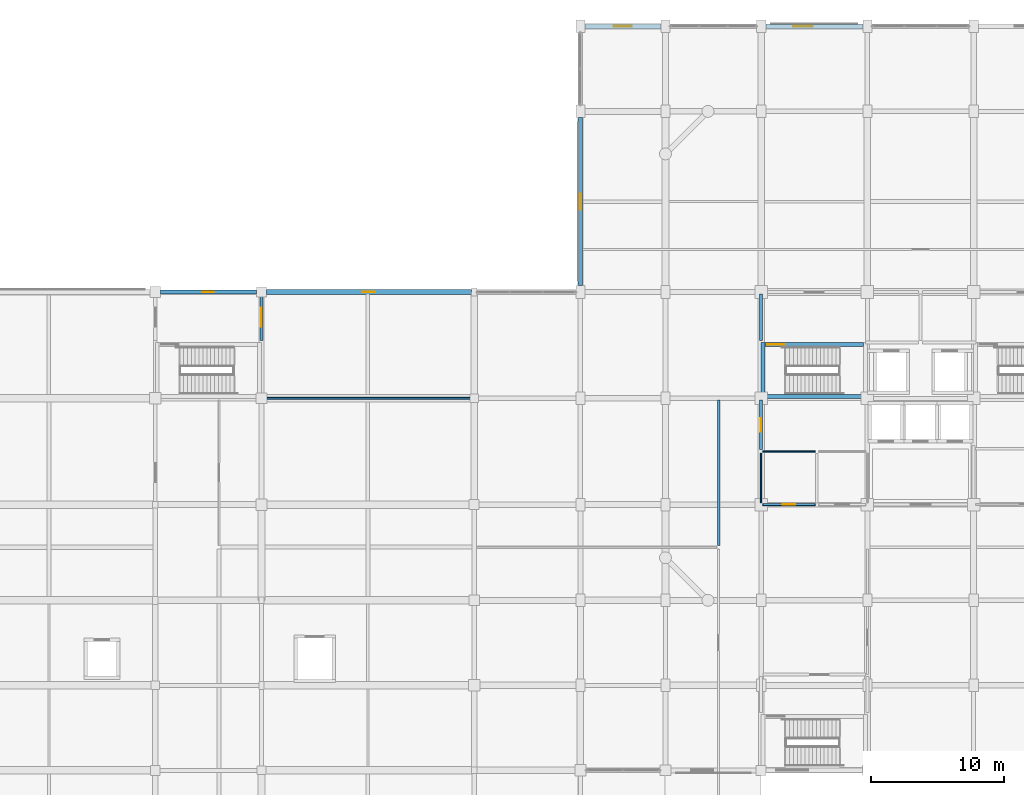
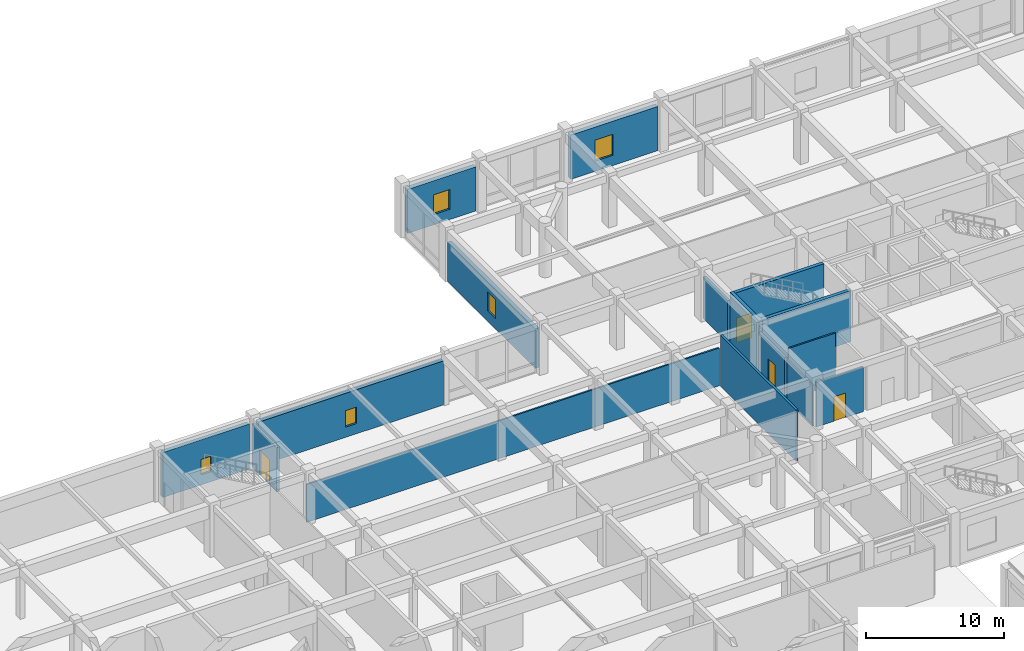
# One storey, part 51 of 61: 16 walls, 5 windows, 4 doors, 9 openings.
"""IFC4 building model written with IfcOpenShell, lengths in metres."""

from ifc_helpers import new_model, si_unit, direction, frame, frame_2d, origin, place, context, subcontext, project, spatial, rectangle, extrude, material, layer, layer_set, type_object, element, fill, save


model = new_model("IFC4")

# Units and contexts
model_context = context("Model", 3, precision=1e-05, world=origin(), true_north=direction((0.0, 1.0)))
body_context = subcontext(model_context, "Body", "Model", "MODEL_VIEW")
ifc_project = project(units=[si_unit("LENGTHUNIT", "METRE"), si_unit("AREAUNIT", "SQUARE_METRE"), si_unit("VOLUMEUNIT", "CUBIC_METRE"), si_unit("PLANEANGLEUNIT", "RADIAN"), si_unit("MASSUNIT", "GRAM", prefix="KILO")], contexts=[model_context])

# Site, building, storey
site_placement = place(None, origin())
site = spatial("IfcSite", under=ifc_project, at=site_placement, CompositionType="ELEMENT")
building_placement = place(site_placement, origin())
building = spatial("IfcBuilding", under=site, at=building_placement, Name="Vellmiral Cinema and Media Centre", CompositionType="ELEMENT")
storey_placement = place(building_placement, frame((0.0, 0.0, 10.800048828125)))
storey = spatial("IfcBuildingStorey", under=building, at=storey_placement, Name="L02", CompositionType="ELEMENT", Elevation=10.800048828125)

# Wall, opening, door
ifc_material_1 = material(Name="Concrete C40/50", Category="concrete")
ifc_layer_1 = layer(ifc_material_1, 0.2099609375, Name="Concrete C40/50")
ifc_layer_set_1 = layer_set([ifc_layer_1], Name="Concrete C40/50")
wall_type_1 = type_object("IfcWallType", Name="WL-COMP-210", PredefinedType="SOLIDWALL", material=ifc_layer_set_1)
wall_1_placement = place(storey_placement, frame((124.0, 83.340087890625, 0.0), z_axis=(0.0, 0.0, 1.0), x_axis=(0.0, 1.0, 0.0)))
wall_1 = element("IfcWall", 1, at=wall_1_placement, inside=storey, type_object=wall_type_1, Name="Electrical and Telecom Riser Room Wall W", PredefinedType="SOLIDWALL", context=body_context, shape_type="SweptSolid", body=[
    extrude(rectangle(XDim=3.719970703125, YDim=0.2099609375, at=frame_2d((1.85986328125, 0.0))), origin(), (0.0, 0.0, 1.0), 3.64501953125),
])
opening_1_placement = place(wall_1_placement, frame((1.360107421875, 0.0, 0.0)))
opening_1 = element("IfcOpeningElement", 2, at=opening_1_placement, cuts=wall_1, Name="Opening D-FD30B", PredefinedType="OPENING", context=body_context, shape_type="SweptSolid", body=[
    extrude(rectangle(XDim=1.0, YDim=2.14990234375, at=frame_2d((0.5, 1.074951171875))), frame((0.0, 0.116943359375, 0.0), z_axis=(0.0, -1.0, 0.0), x_axis=(1.0, 0.0, 0.0)), (0.0, 0.0, 1.0), 0.23388671875),
])
ifc_material_2 = material(Name="Steel Riser Fire Door", Category="steel")
door_type_1 = type_object("IfcDoorType", Name="DR-FD30-1000x2150", OperationType="NOTDEFINED", PredefinedType="DOOR", material=ifc_material_2)
door_1_placement = place(opening_1_placement, frame((1.0, 0.0, 0.0), z_axis=(0.0, 0.0, 1.0), x_axis=(-1.0, 0.0, 0.0)))
door_1 = element("IfcDoor", 3, at=door_1_placement, inside=storey, type_object=door_type_1, Name="Electrical and Telecom Riser Room Door", OperationType="SINGLE_SWING_RIGHT", OverallHeight=2.14990234375, OverallWidth=1.0, PredefinedType="DOOR", context=body_context, shape_type="SweptSolid", body=[
    extrude(rectangle(XDim=1.0, YDim=2.14990234375, at=frame_2d((0.5, 1.074951171875))), frame((0.0, 0.02490234375, 0.0), z_axis=(0.0, -1.0, 0.0), x_axis=(1.0, 0.0, 0.0)), (0.0, 0.0, 1.0), 0.050048828125),
])
fill(opening_1, door_1)

# Walls
ifc_material_3 = material(Name="Concrete C40/50", Category="concrete")
ifc_layer_2 = layer(ifc_material_3, 0.300048828125, Name="Concrete C40/50")
ifc_layer_set_2 = layer_set([ifc_layer_2], Name="Concrete C40/50")
wall_type_2 = type_object("IfcWallType", Name="WL-CORE-300", PredefinedType="SHEAR", material=ifc_layer_set_2)
wall_2_placement = place(storey_placement, frame((124.14990234375, 87.199951171875, 0.0), z_axis=(0.0, 0.0, 1.0), x_axis=(0.0, 1.0, 0.0)))
element("IfcWall", 4, at=wall_2_placement, inside=storey, type_object=wall_type_2, Name="Stair Core Wall ST-T1 L02-W", PredefinedType="SHEAR", context=body_context, shape_type="SweptSolid", body=[
    extrude(rectangle(XDim=4.199951171875, YDim=0.300048828125, at=frame_2d((2.10009765625, 0.0))), origin(), (0.0, 0.0, 1.0), 4.5),
])
wall_3_placement = place(storey_placement, frame((124.300048828125, 87.35009765625, 0.0), z_axis=(0.0, 0.0, 1.0), x_axis=(1.0, 0.0, 0.0)))
element("IfcWall", 5, at=wall_3_placement, inside=storey, type_object=wall_type_2, Name="Stair Core Wall ST-T1 L02-S", PredefinedType="SHEAR", context=body_context, shape_type="SweptSolid", body=[
    extrude(rectangle(XDim=7.39990234375, YDim=0.300048828125, at=frame_2d((3.699951171875, 0.0))), origin(), (0.0, 0.0, 1.0), 4.5),
])

# Wall, opening, door
wall_4_placement = place(storey_placement, frame((124.300048828125, 91.25, 0.0), z_axis=(0.0, 0.0, 1.0), x_axis=(1.0, 0.0, 0.0)))
wall_4 = element("IfcWall", 6, at=wall_4_placement, inside=storey, type_object=wall_type_2, Name="Stair Core Wall ST-T1 L02-N", PredefinedType="SHEAR", context=body_context, shape_type="SweptSolid", body=[
    extrude(rectangle(XDim=7.39990234375, YDim=0.300048828125, at=frame_2d((3.699951171875, 0.0))), origin(), (0.0, 0.0, 1.0), 4.5),
])
opening_2_placement = place(wall_4_placement, frame((0.159912109375, 0.0, 0.0)))
opening_2 = element("IfcOpeningElement", 7, at=opening_2_placement, cuts=wall_4, Name="Opening D-FD30A", PredefinedType="OPENING", context=body_context, shape_type="SweptSolid", body=[
    extrude(rectangle(XDim=1.300048828125, YDim=2.179931640625, at=frame_2d((0.64990234375, 1.08984375))), frame((0.0, 0.162109375, 0.0), z_axis=(0.0, -1.0, 0.0), x_axis=(1.0, 0.0, 0.0)), (0.0, 0.0, 1.0), 0.323974609375),
])
ifc_material_4 = material(Name="Steel Stair Fire Door", Category="steel")
door_type_2 = type_object("IfcDoorType", Name="DR-FD30-1300x2180", OperationType="NOTDEFINED", PredefinedType="DOOR", material=ifc_material_4)
door_2_placement = place(opening_2_placement, frame((1.300048828125, 0.0, 0.0), z_axis=(0.0, 0.0, 1.0), x_axis=(-1.0, 0.0, 0.0)))
door_2 = element("IfcDoor", 8, at=door_2_placement, inside=storey, type_object=door_type_2, Name="Protected Stair Door ST-T1 L02", OperationType="SINGLE_SWING_RIGHT", OverallHeight=2.179931640625, OverallWidth=1.300048828125, PredefinedType="DOOR", context=body_context, shape_type="SweptSolid", body=[
    extrude(rectangle(XDim=1.300048828125, YDim=2.179931640625, at=frame_2d((0.64990234375, 1.08984375))), frame((0.0, 0.02490234375, 0.0), z_axis=(0.0, -1.0, 0.0), x_axis=(1.0, 0.0, 0.0)), (0.0, 0.0, 1.0), 0.050048828125),
])
fill(opening_2, door_2)

# Wall, opening, window
ifc_material_5 = material(Name="Polychrome Glazed Ceramic Cladding", Category="masonry")
ifc_layer_3 = layer(ifc_material_5, 0.320068359375, Name="Polychrome Glazed Ceramic Cladding")
ifc_layer_set_3 = layer_set([ifc_layer_3], Name="Polychrome Glazed Ceramic Cladding")
wall_type_3 = type_object("IfcWallType", Name="WL-EXT-BRICK-320", PredefinedType="SOLIDWALL", material=ifc_layer_set_3)
wall_5_placement = place(storey_placement, frame((110.39990234375, 108.324951171875, 0.0), z_axis=(0.0, 0.0, 1.0), x_axis=(0.0, -1.0, 0.0)))
wall_5 = element("IfcWall", 9, at=wall_5_placement, inside=storey, type_object=wall_type_3, Name="Exterior Facade Wall L02-060", PredefinedType="SOLIDWALL", context=body_context, shape_type="SweptSolid", body=[
    extrude(rectangle(XDim=12.64990234375, YDim=0.320068359375, at=frame_2d((6.324951171875, 0.0))), origin(), (0.0, 0.0, 1.0), 3.48486328125),
])
opening_3_placement = place(wall_5_placement, frame((5.72509765625, 0.0, 0.89990234375)))
opening_3 = element("IfcOpeningElement", 10, at=opening_3_placement, cuts=wall_5, Name="Opening WN-10", PredefinedType="OPENING", context=body_context, shape_type="SweptSolid", body=[
    extrude(rectangle(XDim=1.199951171875, YDim=1.699951171875, at=frame_2d((0.60009765625, 0.85009765625))), frame((0.0, 0.171875, 0.0), z_axis=(0.0, -1.0, 0.0), x_axis=(1.0, 0.0, 0.0)), (0.0, 0.0, 1.0), 0.343994140625),
])
ifc_material_6 = material(Name="Thermally Broken Aluminium Triple Glazing", Category="aluminium")
window_type_1 = type_object("IfcWindowType", Name="WN-1200x1700", PartitioningType="SINGLE_PANEL", PredefinedType="WINDOW", material=ifc_material_6)
window_1_placement = place(opening_3_placement, origin())
window_1 = element("IfcWindow", 11, at=window_1_placement, inside=storey, type_object=window_type_1, Name="Window L02-060", OverallHeight=1.699951171875, OverallWidth=1.199951171875, PartitioningType="SINGLE_PANEL", PredefinedType="WINDOW", context=body_context, shape_type="SweptSolid", body=[
    extrude(rectangle(XDim=1.199951171875, YDim=1.699951171875, at=frame_2d((0.60009765625, 0.85009765625))), frame((0.0, 0.030029296875, 0.0), z_axis=(0.0, -1.0, 0.0), x_axis=(1.0, 0.0, 0.0)), (0.0, 0.0, 1.0), 0.06005859375),
])
fill(opening_3, window_1)

wall_6_placement = place(storey_placement, frame((86.02490234375, 95.199951171875, 0.0), z_axis=(0.0, 0.0, 1.0), x_axis=(-1.0, 0.0, 0.0)))
wall_6 = element("IfcWall", 12, at=wall_6_placement, inside=storey, type_object=wall_type_3, Name="Exterior Facade Wall L02-063", PredefinedType="SOLIDWALL", context=body_context, shape_type="SweptSolid", body=[
    extrude(rectangle(XDim=7.224853515625, YDim=0.320068359375, at=frame_2d((3.6123046875, 0.0))), origin(), (0.0, 0.0, 1.0), 3.974853515625),
])
opening_4_placement = place(wall_6_placement, frame((3.1875, 0.0, 0.89990234375)))
opening_4 = element("IfcOpeningElement", 13, at=opening_4_placement, cuts=wall_6, Name="Opening WN-13", PredefinedType="OPENING", context=body_context, shape_type="SweptSolid", body=[
    extrude(rectangle(XDim=0.85009765625, YDim=1.35009765625, at=frame_2d((0.425048828125, 0.675048828125))), frame((0.0, 0.171875, 0.0), z_axis=(0.0, -1.0, 0.0), x_axis=(1.0, 0.0, 0.0)), (0.0, 0.0, 1.0), 0.343994140625),
])
ifc_material_7 = material(Name="Thermally Broken Aluminium Triple Glazing", Category="aluminium")
window_type_2 = type_object("IfcWindowType", Name="WN-0850x1350", PartitioningType="SINGLE_PANEL", PredefinedType="WINDOW", material=ifc_material_7)
window_2_placement = place(opening_4_placement, origin())
window_2 = element("IfcWindow", 14, at=window_2_placement, inside=storey, type_object=window_type_2, Name="Window L02-063", OverallHeight=1.35009765625, OverallWidth=0.85009765625, PartitioningType="SINGLE_PANEL", PredefinedType="WINDOW", context=body_context, shape_type="SweptSolid", body=[
    extrude(rectangle(XDim=0.85009765625, YDim=1.35009765625, at=frame_2d((0.425048828125, 0.675048828125))), frame((0.0, 0.030029296875, 0.0), z_axis=(0.0, -1.0, 0.0), x_axis=(1.0, 0.0, 0.0)), (0.0, 0.0, 1.0), 0.06005859375),
])
fill(opening_4, window_2)

ifc_material_8 = material(Name="Vosges Red Sandstone Masonry", Category="masonry")
ifc_layer_4 = layer(ifc_material_8, 0.3798828125, Name="Vosges Red Sandstone Masonry")
ifc_layer_set_4 = layer_set([ifc_layer_4], Name="Vosges Red Sandstone Masonry")
wall_type_4 = type_object("IfcWallType", Name="WL-EXT-SAND-380", PredefinedType="SOLIDWALL", material=ifc_layer_set_4)
wall_7_placement = place(storey_placement, frame((131.64990234375, 115.199951171875, 0.0), z_axis=(0.0, 0.0, 1.0), x_axis=(-1.0, 0.0, 0.0)))
wall_7 = element("IfcWall", 15, at=wall_7_placement, inside=storey, type_object=wall_type_4, Name="Exterior Facade Wall L02-056", PredefinedType="SOLIDWALL", context=body_context, shape_type="SweptSolid", body=[
    extrude(rectangle(XDim=7.2998046875, YDim=0.3798828125, at=frame_2d((3.64990234375, 0.0))), origin(), (0.0, 0.0, 1.0), 3.89990234375),
])
opening_5_placement = place(wall_7_placement, frame((3.75, 0.0, 0.89990234375)))
opening_5 = element("IfcOpeningElement", 16, at=opening_5_placement, cuts=wall_7, Name="Opening WN-06", PredefinedType="OPENING", context=body_context, shape_type="SweptSolid", body=[
    extrude(rectangle(XDim=1.5, YDim=1.85009765625, at=frame_2d((0.75, 0.925048828125))), frame((0.0, 0.201904296875, 0.0), z_axis=(0.0, -1.0, 0.0), x_axis=(1.0, 0.0, 0.0)), (0.0, 0.0, 1.0), 0.40380859375),
])
ifc_material_9 = material(Name="Thermally Broken Aluminium Triple Glazing", Category="aluminium")
window_type_3 = type_object("IfcWindowType", Name="WN-1500x1850", PartitioningType="SINGLE_PANEL", PredefinedType="WINDOW", material=ifc_material_9)
window_3_placement = place(opening_5_placement, origin())
window_3 = element("IfcWindow", 17, at=window_3_placement, inside=storey, type_object=window_type_3, Name="Window L02-056", OverallHeight=1.85009765625, OverallWidth=1.5, PartitioningType="SINGLE_PANEL", PredefinedType="WINDOW", context=body_context, shape_type="SweptSolid", body=[
    extrude(rectangle(XDim=1.5, YDim=1.85009765625, at=frame_2d((0.75, 0.925048828125))), frame((0.0, 0.030029296875, 0.0), z_axis=(0.0, -1.0, 0.0), x_axis=(1.0, 0.0, 0.0)), (0.0, 0.0, 1.0), 0.06005859375),
])
fill(opening_5, window_3)

wall_8_placement = place(storey_placement, frame((116.449951171875, 115.199951171875, 0.0), z_axis=(0.0, 0.0, 1.0), x_axis=(-1.0, 0.0, 0.0)))
wall_8 = element("IfcWall", 18, at=wall_8_placement, inside=storey, type_object=wall_type_4, Name="Exterior Facade Wall L02-058", PredefinedType="SOLIDWALL", context=body_context, shape_type="SweptSolid", body=[
    extrude(rectangle(XDim=5.699951171875, YDim=0.3798828125, at=frame_2d((2.85009765625, 0.0))), origin(), (0.0, 0.0, 1.0), 3.885009765625),
])
opening_6_placement = place(wall_8_placement, frame((2.175048828125, 0.0, 0.89990234375)))
opening_6 = element("IfcOpeningElement", 19, at=opening_6_placement, cuts=wall_8, Name="Opening WN-08", PredefinedType="OPENING", context=body_context, shape_type="SweptSolid", body=[
    extrude(rectangle(XDim=1.35009765625, YDim=1.75, at=frame_2d((0.675048828125, 0.875))), frame((0.0, 0.201904296875, 0.0), z_axis=(0.0, -1.0, 0.0), x_axis=(1.0, 0.0, 0.0)), (0.0, 0.0, 1.0), 0.40380859375),
])
ifc_material_10 = material(Name="Thermally Broken Aluminium Triple Glazing", Category="aluminium")
window_type_4 = type_object("IfcWindowType", Name="WN-1350x1750", PartitioningType="SINGLE_PANEL", PredefinedType="WINDOW", material=ifc_material_10)
window_4_placement = place(opening_6_placement, origin())
window_4 = element("IfcWindow", 20, at=window_4_placement, inside=storey, type_object=window_type_4, Name="Window L02-058", OverallHeight=1.75, OverallWidth=1.35009765625, PartitioningType="SINGLE_PANEL", PredefinedType="WINDOW", context=body_context, shape_type="SweptSolid", body=[
    extrude(rectangle(XDim=1.35009765625, YDim=1.75, at=frame_2d((0.675048828125, 0.875))), frame((0.0, 0.030029296875, 0.0), z_axis=(0.0, -1.0, 0.0), x_axis=(1.0, 0.0, 0.0)), (0.0, 0.0, 1.0), 0.06005859375),
])
fill(opening_6, window_4)

wall_9_placement = place(storey_placement, frame((102.199951171875, 95.199951171875, 0.0), z_axis=(0.0, 0.0, 1.0), x_axis=(-1.0, 0.0, 0.0)))
wall_9 = element("IfcWall", 21, at=wall_9_placement, inside=storey, type_object=wall_type_4, Name="Exterior Facade Wall L02-062", PredefinedType="SOLIDWALL", context=body_context, shape_type="SweptSolid", body=[
    extrude(rectangle(XDim=15.425048828125, YDim=0.3798828125, at=frame_2d((7.71240234375, 0.0))), origin(), (0.0, 0.0, 1.0), 3.885009765625),
])
opening_7_placement = place(wall_9_placement, frame((7.237548828125, 0.0, 0.89990234375)))
opening_7 = element("IfcOpeningElement", 22, at=opening_7_placement, cuts=wall_9, Name="Opening WN-12", PredefinedType="OPENING", context=body_context, shape_type="SweptSolid", body=[
    extrude(rectangle(XDim=0.949951171875, YDim=1.449951171875, at=frame_2d((0.47509765625, 0.72509765625))), frame((0.0, 0.201904296875, 0.0), z_axis=(0.0, -1.0, 0.0), x_axis=(1.0, 0.0, 0.0)), (0.0, 0.0, 1.0), 0.40380859375),
])
ifc_material_11 = material(Name="Thermally Broken Aluminium Triple Glazing", Category="aluminium")
window_type_5 = type_object("IfcWindowType", Name="WN-0950x1450", PartitioningType="SINGLE_PANEL", PredefinedType="WINDOW", material=ifc_material_11)
window_5_placement = place(opening_7_placement, origin())
window_5 = element("IfcWindow", 23, at=window_5_placement, inside=storey, type_object=window_type_5, Name="Window L02-062", OverallHeight=1.449951171875, OverallWidth=0.949951171875, PartitioningType="SINGLE_PANEL", PredefinedType="WINDOW", context=body_context, shape_type="SweptSolid", body=[
    extrude(rectangle(XDim=0.949951171875, YDim=1.449951171875, at=frame_2d((0.47509765625, 0.72509765625))), frame((0.0, 0.030029296875, 0.0), z_axis=(0.0, -1.0, 0.0), x_axis=(1.0, 0.0, 0.0)), (0.0, 0.0, 1.0), 0.06005859375),
])
fill(opening_7, window_5)

# Wall, opening, door
ifc_material_12 = material(Name="Concrete C40/50", Category="concrete")
ifc_layer_5 = layer(ifc_material_12, 0.22998046875, Name="Concrete C40/50")
ifc_layer_set_5 = layer_set([ifc_layer_5], Name="Concrete C40/50")
wall_type_5 = type_object("IfcWallType", Name="WL-FFL-230", PredefinedType="SOLIDWALL", material=ifc_layer_set_5)
wall_10_placement = place(storey_placement, frame((86.39990234375, 91.5400390625, 0.0), z_axis=(0.0, 0.0, 1.0), x_axis=(0.0, 1.0, 0.0)))
wall_10 = element("IfcWall", 24, at=wall_10_placement, inside=storey, type_object=wall_type_5, Name="Firefighting Stair Lobby ST-P5 Wall E", PredefinedType="SOLIDWALL", context=body_context, shape_type="SweptSolid", body=[
    extrude(rectangle(XDim=3.554931640625, YDim=0.22998046875, at=frame_2d((1.77734375, 0.0))), origin(), (0.0, 0.0, 1.0), 3.89501953125),
])
opening_8_placement = place(wall_10_placement, frame((1.06005859375, 0.0, 0.0)))
opening_8 = element("IfcOpeningElement", 25, at=opening_8_placement, cuts=wall_10, Name="Opening D-FD60B", PredefinedType="OPENING", context=body_context, shape_type="SweptSolid", body=[
    extrude(rectangle(XDim=1.39990234375, YDim=2.199951171875, at=frame_2d((0.699951171875, 1.10009765625))), frame((0.0, 0.126953125, 0.0), z_axis=(0.0, -1.0, 0.0), x_axis=(1.0, 0.0, 0.0)), (0.0, 0.0, 1.0), 0.25390625),
])
ifc_material_13 = material(Name="Steel Fire Door", Category="steel")
door_type_3 = type_object("IfcDoorType", Name="DR-FD60-1400x2200", OperationType="NOTDEFINED", PredefinedType="DOOR", material=ifc_material_13)
door_3_placement = place(opening_8_placement, origin())
door_3 = element("IfcDoor", 26, at=door_3_placement, inside=storey, type_object=door_type_3, Name="Firefighting Stair Lobby ST-P5 Door", OperationType="SINGLE_SWING_RIGHT", OverallHeight=2.199951171875, OverallWidth=1.39990234375, PredefinedType="DOOR", context=body_context, shape_type="SweptSolid", body=[
    extrude(rectangle(XDim=1.39990234375, YDim=2.199951171875, at=frame_2d((0.699951171875, 1.10009765625))), frame((0.0, 0.02490234375, 0.0), z_axis=(0.0, -1.0, 0.0), x_axis=(1.0, 0.0, 0.0)), (0.0, 0.0, 1.0), 0.050048828125),
])
fill(opening_8, door_3)

# Walls
wall_11_placement = place(storey_placement, frame((124.0, 91.5400390625, 0.0), z_axis=(0.0, 0.0, 1.0), x_axis=(0.0, 1.0, 0.0)))
element("IfcWall", 27, at=wall_11_placement, inside=storey, type_object=wall_type_5, Name="Firefighting Lobby West Wall W", PredefinedType="SOLIDWALL", context=body_context, shape_type="SweptSolid", body=[
    extrude(rectangle(XDim=3.52001953125, YDim=0.22998046875, at=frame_2d((1.760009765625, 0.0))), origin(), (0.0, 0.0, 1.0), 3.695068359375),
])
ifc_material_14 = material(Name="Gypsum Plasterboard")
ifc_layer_6 = layer(ifc_material_14, 0.02490234375, Name="Gypsum Plasterboard", Category="gypsum")
ifc_material_15 = material(Name="Mineral Wool Acoustic Insulation", Category="insulation")
ifc_layer_7 = layer(ifc_material_15, 0.06005859375, Name="Mineral Wool Acoustic Insulation", Category="insulation")
ifc_layer_8 = layer(ifc_material_14, 0.02490234375, Name="Gypsum Plasterboard", Category="gypsum")
ifc_layer_set_6 = layer_set([ifc_layer_6, ifc_layer_7, ifc_layer_8], Name="Gypsum Plasterboard")
wall_type_6 = type_object("IfcWallType", Name="WL-PART-110", PredefinedType="PARTITIONING", material=ifc_layer_set_6)
wall_12_placement = place(storey_placement, frame((124.0, 79.340087890625, 0.0), z_axis=(0.0, 0.0, 1.0), x_axis=(0.0, 1.0, 0.0)))
element("IfcWall", 28, at=wall_12_placement, inside=storey, type_object=wall_type_6, Name="Staff WC Wall W", PredefinedType="PARTITIONING", context=body_context, shape_type="SweptSolid", body=[
    extrude(rectangle(XDim=3.719970703125, YDim=0.110107421875, at=frame_2d((1.85986328125, 0.0))), origin(), (0.0, 0.0, 1.0), 3.64501953125),
])
ifc_material_16 = material(Name="Gypsum Plasterboard")
ifc_layer_9 = layer(ifc_material_16, 0.02490234375, Name="Gypsum Plasterboard", Category="gypsum")
ifc_material_17 = material(Name="Mineral Wool Acoustic Insulation", Category="insulation")
ifc_layer_10 = layer(ifc_material_17, 0.080078125, Name="Mineral Wool Acoustic Insulation", Category="insulation")
ifc_layer_11 = layer(ifc_material_16, 0.02490234375, Name="Gypsum Plasterboard", Category="gypsum")
ifc_layer_set_7 = layer_set([ifc_layer_9, ifc_layer_10, ifc_layer_11], Name="Gypsum Plasterboard")
wall_type_7 = type_object("IfcWallType", Name="WL-PART-130", PredefinedType="PARTITIONING", material=ifc_layer_set_7)
wall_13_placement = place(storey_placement, frame((124.139892578125, 83.199951171875, 0.0), z_axis=(0.0, 0.0, 1.0), x_axis=(1.0, 0.0, 0.0)))
element("IfcWall", 29, at=wall_13_placement, inside=storey, type_object=wall_type_7, Name="Staff WC Wall N", PredefinedType="PARTITIONING", context=body_context, shape_type="SweptSolid", body=[
    extrude(rectangle(XDim=3.920166015625, YDim=0.1298828125, at=frame_2d((1.9599609375, 0.0))), origin(), (0.0, 0.0, 1.0), 4.5),
])
wall_14_placement = place(storey_placement, frame((86.239990234375, 87.199951171875, 0.0), z_axis=(0.0, 0.0, 1.0), x_axis=(1.0, 0.0, 0.0)))
element("IfcWall", 30, at=wall_14_placement, inside=storey, type_object=wall_type_7, Name="Media Library Conservation Workshop Wall N", PredefinedType="PARTITIONING", context=body_context, shape_type="SweptSolid", body=[
    extrude(rectangle(XDim=34.419921875, YDim=0.1298828125, at=frame_2d((17.2099609375, 0.0))), origin(), (0.0, 0.0, 1.0), 3.344970703125),
])

# Wall, opening, door
ifc_material_18 = material(Name="Gypsum Plasterboard")
ifc_layer_12 = layer(ifc_material_18, 0.02490234375, Name="Gypsum Plasterboard", Category="gypsum")
ifc_material_19 = material(Name="Mineral Wool Acoustic Insulation", Category="insulation")
ifc_layer_13 = layer(ifc_material_19, 0.10009765625, Name="Mineral Wool Acoustic Insulation", Category="insulation")
ifc_layer_14 = layer(ifc_material_18, 0.02490234375, Name="Gypsum Plasterboard", Category="gypsum")
ifc_layer_set_8 = layer_set([ifc_layer_12, ifc_layer_13, ifc_layer_14], Name="Gypsum Plasterboard")
wall_type_8 = type_object("IfcWallType", Name="WL-PART-150", PredefinedType="PARTITIONING", material=ifc_layer_set_8)
wall_15_placement = place(storey_placement, frame((124.139892578125, 79.199951171875, 0.0), z_axis=(0.0, 0.0, 1.0), x_axis=(1.0, 0.0, 0.0)))
wall_15 = element("IfcWall", 31, at=wall_15_placement, inside=storey, type_object=wall_type_8, Name="Staff WC Wall S", PredefinedType="PARTITIONING", context=body_context, shape_type="SweptSolid", body=[
    extrude(rectangle(XDim=3.920166015625, YDim=0.14990234375, at=frame_2d((1.9599609375, 0.0))), origin(), (0.0, 0.0, 1.0), 3.945068359375),
])
opening_9_placement = place(wall_15_placement, frame((1.485107421875, 0.0, 0.0)))
opening_9 = element("IfcOpeningElement", 32, at=opening_9_placement, cuts=wall_15, Name="Opening D-I09", PredefinedType="OPENING", context=body_context, shape_type="SweptSolid", body=[
    extrude(rectangle(XDim=0.949951171875, YDim=2.14990234375, at=frame_2d((0.47509765625, 1.074951171875))), frame((0.0, 0.0869140625, 0.0), z_axis=(0.0, -1.0, 0.0), x_axis=(1.0, 0.0, 0.0)), (0.0, 0.0, 1.0), 0.173828125),
])
ifc_material_20 = material(Name="Moisture-Resistant Timber Door", Category="wood")
door_type_4 = type_object("IfcDoorType", Name="DR-INT-950x2150", OperationType="NOTDEFINED", PredefinedType="DOOR", material=ifc_material_20)
door_4_placement = place(opening_9_placement, origin())
door_4 = element("IfcDoor", 33, at=door_4_placement, inside=storey, type_object=door_type_4, Name="Staff WC Door", OperationType="SINGLE_SWING_RIGHT", OverallHeight=2.14990234375, OverallWidth=0.949951171875, PredefinedType="DOOR", context=body_context, shape_type="SweptSolid", body=[
    extrude(rectangle(XDim=0.949951171875, YDim=2.14990234375, at=frame_2d((0.47509765625, 1.074951171875))), frame((0.0, 0.02490234375, 0.0), z_axis=(0.0, -1.0, 0.0), x_axis=(1.0, 0.0, 0.0)), (0.0, 0.0, 1.0), 0.050048828125),
])
fill(opening_9, door_4)

# Wall
ifc_material_21 = material(Name="Gypsum Plasterboard")
ifc_layer_15 = layer(ifc_material_21, 0.02490234375, Name="Gypsum Plasterboard", Category="gypsum")
ifc_material_22 = material(Name="Mineral Wool Acoustic Insulation", Category="insulation")
ifc_layer_16 = layer(ifc_material_22, 0.139892578125, Name="Mineral Wool Acoustic Insulation", Category="insulation")
ifc_layer_17 = layer(ifc_material_21, 0.02490234375, Name="Gypsum Plasterboard", Category="gypsum")
ifc_layer_set_9 = layer_set([ifc_layer_15, ifc_layer_16, ifc_layer_17], Name="Gypsum Plasterboard")
wall_type_9 = type_object("IfcWallType", Name="WL-PART-190", PredefinedType="PARTITIONING", material=ifc_layer_set_9)
wall_16_placement = place(storey_placement, frame((120.800048828125, 76.139892578125, 0.0), z_axis=(0.0, 0.0, 1.0), x_axis=(0.0, 1.0, 0.0)))
element("IfcWall", 34, at=wall_16_placement, inside=storey, type_object=wall_type_9, Name="Media Library Conservation Workshop Wall E", PredefinedType="PARTITIONING", context=body_context, shape_type="SweptSolid", body=[
    extrude(rectangle(XDim=10.920166015625, YDim=0.18994140625, at=frame_2d((5.4599609375, 0.0))), origin(), (0.0, 0.0, 1.0), 4.5),
])

save(model, "model.ifc")
